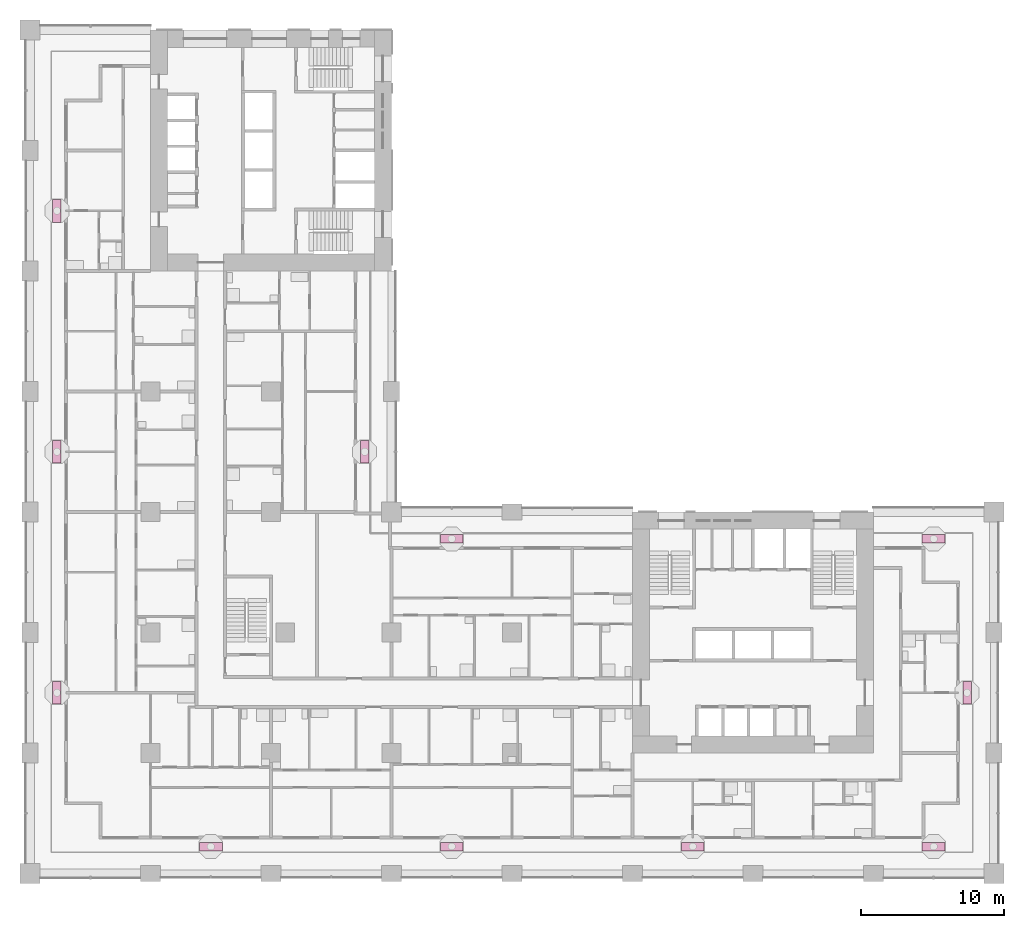
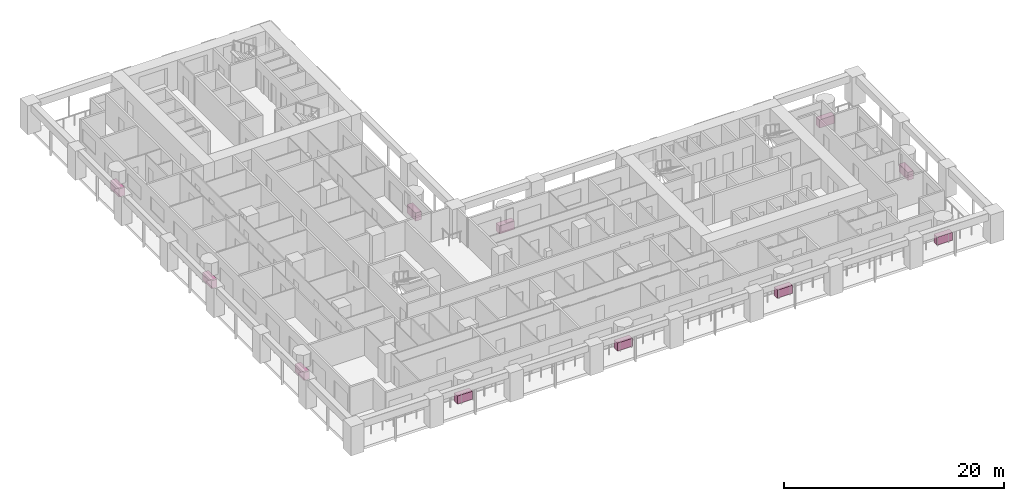
# One storey, part 21 of 22: 11 furniture elements.
"""IFC4 building model written with IfcOpenShell, lengths in metres."""

from ifc_helpers import new_model, si_unit, direction, frame, origin, origin_2d, place, context, subcontext, project, spatial, rectangle, extrude, material, element, save


model = new_model("IFC4")

# Units and contexts
model_context = context("Model", 3, precision=1e-05, world=origin(), true_north=direction((0.0, 1.0)))
body_context = subcontext(model_context, "Body", "Model", "MODEL_VIEW")
ifc_project = project(units=[si_unit("LENGTHUNIT", "METRE"), si_unit("AREAUNIT", "SQUARE_METRE"), si_unit("VOLUMEUNIT", "CUBIC_METRE"), si_unit("PLANEANGLEUNIT", "RADIAN"), si_unit("MASSUNIT", "GRAM", prefix="KILO")], contexts=[model_context])

# Site, building, storey
site_placement = place(None, origin())
site = spatial("IfcSite", under=ifc_project, at=site_placement, CompositionType="ELEMENT")
building_placement = place(site_placement, origin())
building = spatial("IfcBuilding", under=site, at=building_placement, Name="Vermilion Gate Residences", CompositionType="ELEMENT")
storey_placement = place(building_placement, frame((0.0, 0.0, 56.699951171875)))
storey = spatial("IfcBuildingStorey", under=building, at=storey_placement, Name="L13", CompositionType="ELEMENT", Elevation=56.699951171875)

# Furniture
ifc_material = material(Name="Terracotta planter", Category="masonry")
for number, where, z_axis, x_axis, name in (
    (1, (12.60009765625, 1.875, 0.0), (0.0, 0.0, 1.0), (1.0, 0.0, 0.0), "PLANTER"),
    (2, (29.39990234375, 1.875, 0.0), (0.0, 0.0, 1.0), (1.0, 0.0, 0.0), "PLANTER"),
    (3, (46.199951171875, 1.875, 0.0), (0.0, 0.0, 1.0), (1.0, 0.0, 0.0), "PLANTER"),
    (4, (63.0, 1.875, 0.0), (0.0, 0.0, 1.0), (1.0, 0.0, 0.0), "PLANTER"),
    (5, (65.324951171875, 12.60009765625, 0.0), (0.0, 0.0, 1.0), (0.0, 1.0, 0.0), "PLANTER"),
    (6, (29.39990234375, 23.324951171875, 0.0), (0.0, 0.0, 1.0), (-1.0, 0.0, 0.0), "PLANTER"),
    (7, (63.0, 23.324951171875, 0.0), (0.0, 0.0, 1.0), (-1.0, 0.0, 0.0), "PLANTER"),
    (8, (23.324951171875, 29.39990234375, 0.0), (0.0, 0.0, 1.0), (0.0, 1.0, 0.0), "PLANTER"),
    (9, (1.875, 12.60009765625, 0.0), (0.0, 0.0, 1.0), (0.0, -1.0, 0.0), "PLANTER"),
    (10, (1.875, 29.39990234375, 0.0), (0.0, 0.0, 1.0), (0.0, -1.0, 0.0), "PLANTER"),
    (11, (1.875, 46.199951171875, 0.0), (0.0, 0.0, 1.0), (0.0, -1.0, 0.0), "PLANTER"),
):
    element("IfcFurniture", number, at=place(storey_placement, frame(where, z_axis=z_axis, x_axis=x_axis)), inside=storey, material=ifc_material, Name=name, ObjectType="PLANTER", PredefinedType="USERDEFINED", context=body_context, shape_type="SweptSolid", body=[
        extrude(rectangle(XDim=1.60009765625, YDim=0.60009765625, at=origin_2d()), origin(), (0.0, 0.0, 1.0), 0.89990234375),
    ])

save(model, "model.ifc")
